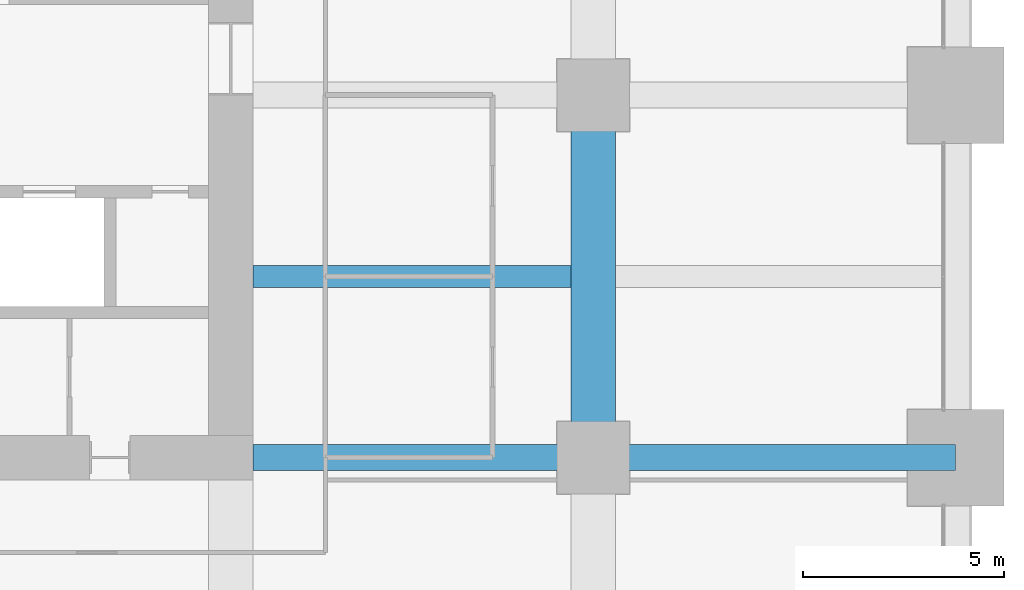
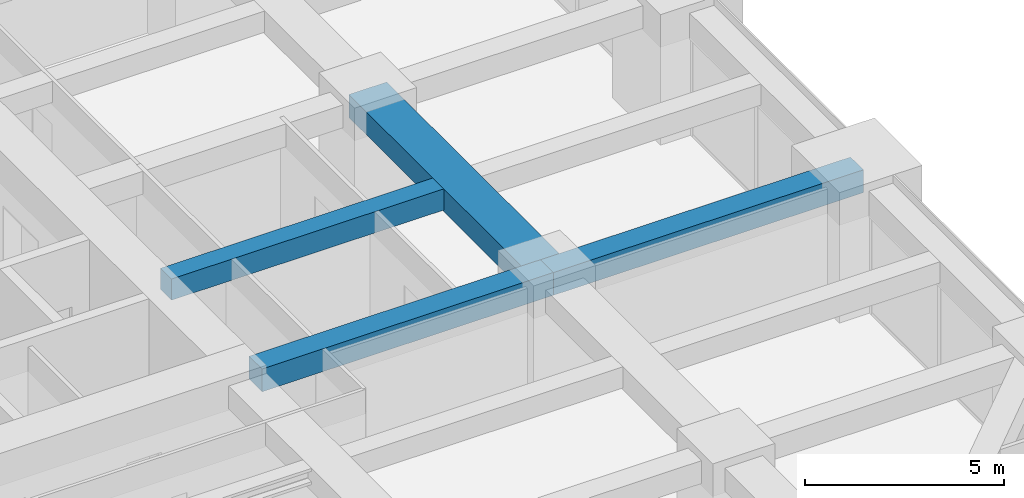
# One storey, part 20 of 39: 4 beams.
"""IFC4 building model written with IfcOpenShell, lengths in metres."""

from ifc_helpers import new_model, si_unit, direction, frame, origin, origin_2d, place, context, subcontext, project, spatial, rectangle, extrude, material, material_profile, profile_set, type_object, element, save


model = new_model("IFC4")

# Units and contexts
model_context = context("Model", 3, precision=1e-05, world=origin(), true_north=direction((0.0, 1.0)))
body_context = subcontext(model_context, "Body", "Model", "MODEL_VIEW")
ifc_project = project(units=[si_unit("LENGTHUNIT", "METRE"), si_unit("AREAUNIT", "SQUARE_METRE"), si_unit("VOLUMEUNIT", "CUBIC_METRE"), si_unit("PLANEANGLEUNIT", "RADIAN"), si_unit("MASSUNIT", "GRAM", prefix="KILO")], contexts=[model_context])

# Site, building, storey
site_placement = place(None, origin())
site = spatial("IfcSite", under=ifc_project, at=site_placement, CompositionType="ELEMENT")
building_placement = place(site_placement, origin())
building = spatial("IfcBuilding", under=site, at=building_placement, Name="Zorevar Civic Tower", CompositionType="ELEMENT")
storey_placement = place(building_placement, frame((0.0, 0.0, 125.0)))
storey = spatial("IfcBuildingStorey", under=building, at=storey_placement, Name="L30", CompositionType="ELEMENT", Elevation=125.0)

# Beams
ifc_material_1 = material(Name="Concrete C50/60", Category="concrete")
ifc_material_profile_1 = material_profile(ifc_material_1, rectangle(XDim=1.10009765625, YDim=0.699951171875, at=origin_2d()), Name="RC 1100x700")
ifc_profile_set_1 = profile_set([ifc_material_profile_1], Name="Concrete C50/60")
beam_type_1 = type_object("IfcBeamType", Name="Beam RC 1100x700", PredefinedType="BEAM", material=ifc_profile_set_1)
beam_1_placement = place(storey_placement, frame((54.0, 18.0, 3.39990234375), z_axis=(0.0, 1.0, 0.0), x_axis=(-1.0, 0.0, 0.0)))
element("IfcBeam", 1, at=beam_1_placement, inside=storey, type_object=beam_type_1, Name="Girder L31", PredefinedType="BEAM", context=body_context, shape_type="SweptSolid", body=[
    extrude(rectangle(XDim=1.10009765625, YDim=0.699951171875, at=origin_2d()), origin(), (0.0, 0.0, 1.0), 9.0),
])
ifc_material_2 = material(Name="Concrete C50/60", Category="concrete")
ifc_material_profile_2 = material_profile(ifc_material_2, rectangle(XDim=0.550048828125, YDim=0.64990234375, at=origin_2d()), Name="RC 550x650")
ifc_profile_set_2 = profile_set([ifc_material_profile_2], Name="Concrete C50/60")
beam_type_2 = type_object("IfcBeamType", Name="Beam RC 550x650", PredefinedType="BEAM", material=ifc_profile_set_2)
beam_2_placement = place(storey_placement, frame((45.550048828125, 22.5, 3.425048828125), z_axis=(1.0, 0.0, 0.0), x_axis=(0.0, 1.0, 0.0)))
element("IfcBeam", 2, at=beam_2_placement, inside=storey, type_object=beam_type_2, Name="Secondary beam L31", PredefinedType="BEAM", context=body_context, shape_type="SweptSolid", body=[
    extrude(rectangle(XDim=0.550048828125, YDim=0.64990234375, at=origin_2d()), origin(), (0.0, 0.0, 1.0), 7.89990234375),
])
ifc_material_3 = material(Name="Concrete C50/60", Category="concrete")
ifc_material_profile_3 = material_profile(ifc_material_3, rectangle(XDim=0.64990234375, YDim=0.699951171875, at=origin_2d()), Name="RC 650x700")
ifc_profile_set_3 = profile_set([ifc_material_profile_3], Name="Concrete C50/60")
beam_type_3 = type_object("IfcBeamType", Name="Beam RC 650x700", PredefinedType="BEAM", material=ifc_profile_set_3)
beam_3_placement = place(storey_placement, frame((45.550048828125, 18.0, 3.39990234375), z_axis=(1.0, 0.0, 0.0), x_axis=(0.0, 1.0, 0.0)))
element("IfcBeam", 3, at=beam_3_placement, inside=storey, type_object=beam_type_3, Name="Girder L31", PredefinedType="BEAM", context=body_context, shape_type="SweptSolid", body=[
    extrude(rectangle(XDim=0.64990234375, YDim=0.699951171875, at=origin_2d()), origin(), (0.0, 0.0, 1.0), 8.449951171875),
])
beam_4_placement = place(storey_placement, frame((54.0, 18.0, 3.39990234375), z_axis=(1.0, 0.0, 0.0), x_axis=(0.0, 1.0, 0.0)))
element("IfcBeam", 4, at=beam_4_placement, inside=storey, type_object=beam_type_3, Name="Girder L31", PredefinedType="BEAM", context=body_context, shape_type="SweptSolid", body=[
    extrude(rectangle(XDim=0.64990234375, YDim=0.699951171875, at=origin_2d()), origin(), (0.0, 0.0, 1.0), 9.0),
])

save(model, "model.ifc")
